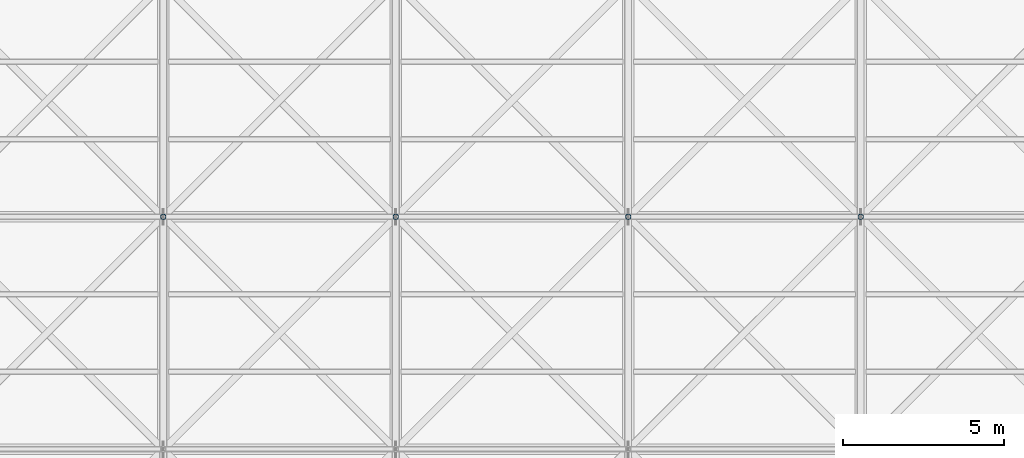
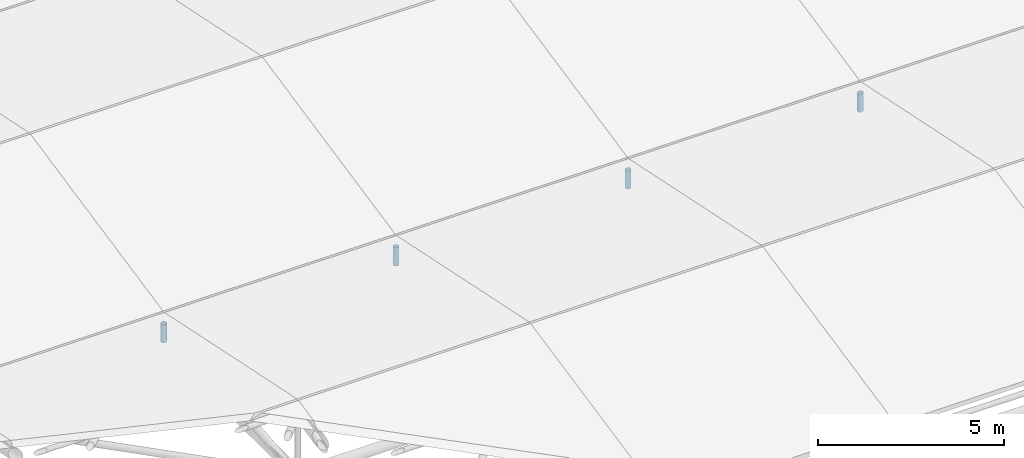
# One storey, part 49 of 72: 4 members.
"""IFC4 building model written with IfcOpenShell, lengths in metres."""

from ifc_helpers import new_model, si_unit, direction, frame, origin, origin_2d, place, context, subcontext, project, spatial, hollow_circle, extrude, material, material_profile, profile_set, type_object, element, save


model = new_model("IFC4")

# Units and contexts
model_context = context("Model", 3, precision=1e-05, world=origin(), true_north=direction((0.0, 1.0)))
body_context = subcontext(model_context, "Body", "Model", "MODEL_VIEW")
ifc_project = project(units=[si_unit("LENGTHUNIT", "METRE"), si_unit("AREAUNIT", "SQUARE_METRE"), si_unit("VOLUMEUNIT", "CUBIC_METRE"), si_unit("PLANEANGLEUNIT", "RADIAN"), si_unit("MASSUNIT", "GRAM", prefix="KILO")], contexts=[model_context])

# Site, building, storey
site_placement = place(None, origin())
site = spatial("IfcSite", under=ifc_project, at=site_placement, CompositionType="ELEMENT")
building_placement = place(site_placement, origin())
building = spatial("IfcBuilding", under=site, at=building_placement, Name="Vaelcorin Mobility Hub", CompositionType="ELEMENT")
storey_placement = place(building_placement, frame((0.0, 0.0, 25.800048828125)))
storey = spatial("IfcBuildingStorey", under=building, at=storey_placement, Name="RF", CompositionType="ELEMENT", Elevation=25.800048828125)

# Members
ifc_material = material(Name="Steel ASTM A500 Grade C", Category="steel")
ifc_material_profile = material_profile(ifc_material, hollow_circle(Radius=0.084228515625, WallThickness=0.0078125, at=origin_2d()), Name="HSS6.625X0.312")
ifc_profile_set = profile_set([ifc_material_profile], Name="Steel ASTM A500 Grade C")
member_type = type_object("IfcMemberType", Name="TR-POST-6", PredefinedType="POST", material=ifc_profile_set)
for number, where, z_axis, x_axis, name in (
    (1, (72.0, 98.39990234375, -2.10009765625), (0.0, 0.0, 1.0), (1.0, 0.0, 0.0), "Sports Pavilion Roof Truss Post 5-2"),
    (2, (79.199951171875, 98.39990234375, -2.10009765625), (0.0, 0.0, 1.0), (1.0, 0.0, 0.0), "Sports Pavilion Roof Truss Post 6-2"),
    (3, (86.39990234375, 98.39990234375, -2.10009765625), (0.0, 0.0, 1.0), (1.0, 0.0, 0.0), "Sports Pavilion Roof Truss Post 7-2"),
    (4, (93.60009765625, 98.39990234375, -2.10009765625), (0.0, 0.0, 1.0), (1.0, 0.0, 0.0), "Sports Pavilion Roof Truss Post 8-2"),
):
    element("IfcMember", number, at=place(storey_placement, frame(where, z_axis=z_axis, x_axis=x_axis)), inside=storey, type_object=member_type, Name=name, PredefinedType="POST", context=body_context, shape_type="SweptSolid", body=[
        extrude(hollow_circle(Radius=0.084228515625, WallThickness=0.0078125, at=origin_2d()), origin(), (0.0, 0.0, 1.0), 0.60009765625),
    ])

save(model, "model.ifc")
